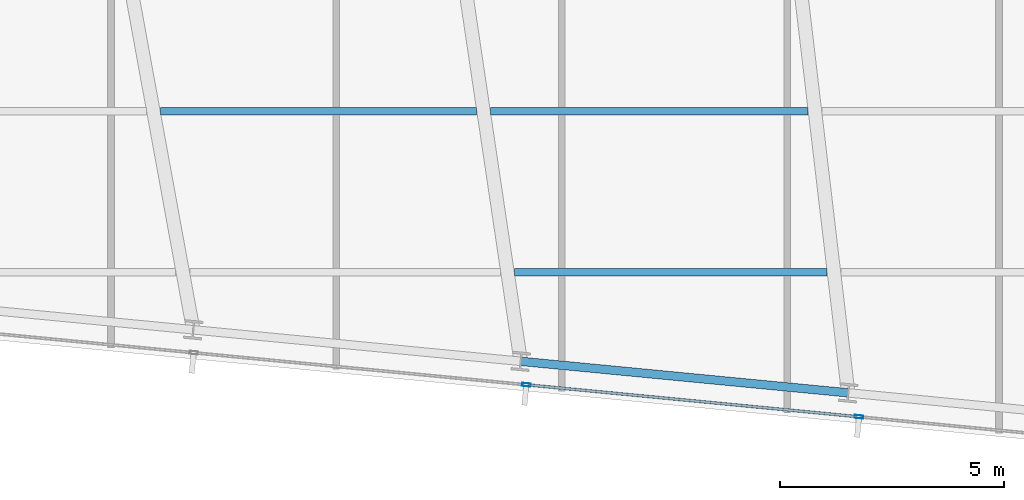
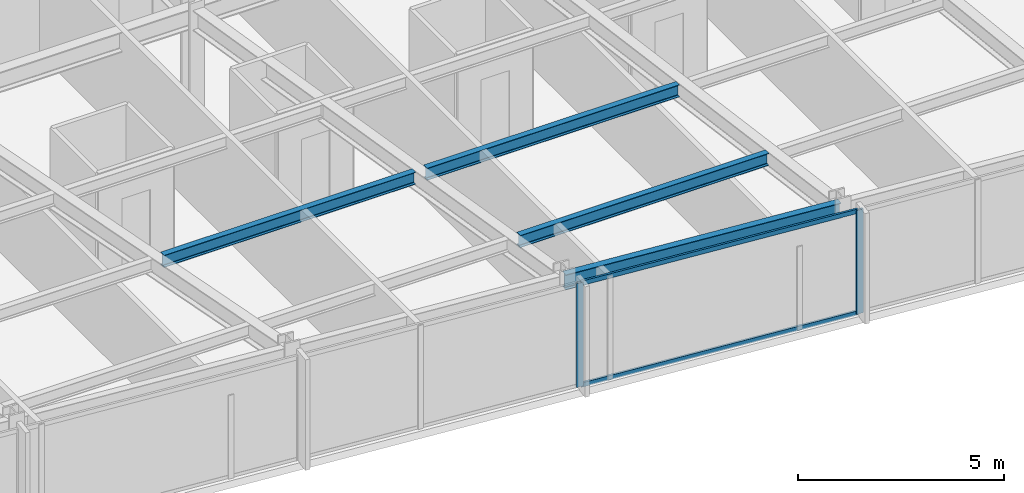
# One storey, part 12 of 37: 4 beams, 4 members, 1 element without a shape of its own.
"""IFC4 building model written with IfcOpenShell, lengths in metres."""

from ifc_helpers import new_model, si_unit, direction, frame, origin, origin_2d, place, context, subcontext, project, spatial, hollow_rectangle, i_section, extrude, material, material_profile, profile_set, type_object, element, aggregate, save


model = new_model("IFC4")

# Units and contexts
model_context = context("Model", 3, precision=1e-05, world=origin(), true_north=direction((0.0, 1.0)))
body_context = subcontext(model_context, "Body", "Model", "MODEL_VIEW")
ifc_project = project(units=[si_unit("LENGTHUNIT", "METRE"), si_unit("AREAUNIT", "SQUARE_METRE"), si_unit("VOLUMEUNIT", "CUBIC_METRE"), si_unit("PLANEANGLEUNIT", "RADIAN"), si_unit("MASSUNIT", "GRAM", prefix="KILO")], contexts=[model_context])

# Site, building, storey
site_placement = place(None, origin())
site = spatial("IfcSite", under=ifc_project, at=site_placement, CompositionType="ELEMENT")
building_placement = place(site_placement, origin())
building = spatial("IfcBuilding", under=site, at=building_placement, Name="Yelkora Congress Tower", CompositionType="ELEMENT")
storey_placement = place(building_placement, frame((0.0, 0.0, 182.0)))
storey = spatial("IfcBuildingStorey", under=building, at=storey_placement, Name="L50", CompositionType="ELEMENT", Elevation=182.0)

# Beams
ifc_material_1 = material(Name="Steel S355J2", Category="steel")
ifc_material_profile_1 = material_profile(ifc_material_1, i_section(OverallWidth=0.169921875, OverallDepth=0.360107421875, WebThickness=0.008056640625, FlangeThickness=0.0126953125, FilletRadius=0.01806640625, at=origin_2d()), Name="IPE 360")
ifc_profile_set_1 = profile_set([ifc_material_profile_1], Name="Steel S355J2")
beam_type_1 = type_object("IfcBeamType", Name="BM-JOIST-IPE360", PredefinedType="JOIST", material=ifc_profile_set_1)
beam_1_placement = place(storey_placement, frame((40.39990234375, 12.8212890625, 2.89990234375), z_axis=(1.0, 0.0, 0.0), x_axis=(0.0, 1.0, 0.0)))
element("IfcBeam", 1, at=beam_1_placement, inside=storey, type_object=beam_type_1, Name="L50 Composite Floor Joist 3", PredefinedType="JOIST", context=body_context, shape_type="SweptSolid", body=[
    extrude(i_section(OverallWidth=0.169921875, OverallDepth=0.360107421875, WebThickness=0.008056640625, FlangeThickness=0.0126953125, FilletRadius=0.01806640625, at=origin_2d()), origin(), (0.0, 0.0, 1.0), 6.98095703125),
])
beam_2_placement = place(storey_placement, frame((32.481201171875, 16.421142578125, 2.89990234375), z_axis=(1.0, 0.0, 0.0), x_axis=(0.0, 1.0, 0.0)))
element("IfcBeam", 2, at=beam_2_placement, inside=storey, type_object=beam_type_1, Name="L50 Composite Floor Joist 9", PredefinedType="JOIST", context=body_context, shape_type="SweptSolid", body=[
    extrude(i_section(OverallWidth=0.169921875, OverallDepth=0.360107421875, WebThickness=0.008056640625, FlangeThickness=0.0126953125, FilletRadius=0.01806640625, at=origin_2d()), origin(), (0.0, 0.0, 1.0), 7.063720703125),
])
beam_3_placement = place(storey_placement, frame((39.86474609375, 16.421142578125, 2.89990234375), z_axis=(1.0, 0.0, 0.0), x_axis=(0.0, 1.0, 0.0)))
element("IfcBeam", 3, at=beam_3_placement, inside=storey, type_object=beam_type_1, Name="L50 Composite Floor Joist 10", PredefinedType="JOIST", context=body_context, shape_type="SweptSolid", body=[
    extrude(i_section(OverallWidth=0.169921875, OverallDepth=0.360107421875, WebThickness=0.008056640625, FlangeThickness=0.0126953125, FilletRadius=0.01806640625, at=origin_2d()), origin(), (0.0, 0.0, 1.0), 7.09130859375),
])
ifc_material_profile_2 = material_profile(ifc_material_1, i_section(OverallWidth=0.18994140625, OverallDepth=0.449951171875, WebThickness=0.009521484375, FlangeThickness=0.0146484375, FilletRadius=0.02099609375, at=origin_2d()), Name="IPE 450")
ifc_profile_set_2 = profile_set([ifc_material_profile_2], Name="Steel S355J2")
beam_type_2 = type_object("IfcBeamType", Name="BM-SPAN-IPE450", PredefinedType="SPANDREL", material=ifc_profile_set_2)
beam_4_placement = place(storey_placement, frame((40.53564453125, 10.83154296875, 2.85498046875), z_axis=(0.995397104697, -0.095836339457, 0.0), x_axis=(0.095836339457, 0.995397104697, 0.0)))
element("IfcBeam", 4, at=beam_4_placement, inside=storey, type_object=beam_type_2, Name="L50 Perimeter Beam 7", PredefinedType="SPANDREL", context=body_context, shape_type="SweptSolid", body=[
    extrude(i_section(OverallWidth=0.18994140625, OverallDepth=0.449951171875, WebThickness=0.009521484375, FlangeThickness=0.0146484375, FilletRadius=0.02099609375, at=origin_2d()), origin(), (0.0, 0.0, 1.0), 7.357177734375),
])

# Curtain wall, members
ifc_material_2 = material(Name="Anodised aluminium and insulated glass", Category="aluminium")
curtain_wall_type = type_object("IfcCurtainWallType", Name="CW-SYS-B3", PredefinedType="NOTDEFINED", material=ifc_material_2)
curtain_wall_placement = place(storey_placement, origin())
curtain_wall = element("IfcCurtainWall", 5, at=curtain_wall_placement, inside=storey, type_object=curtain_wall_type, Name="L50 Unitised Curtain Wall 20", PredefinedType="NOTDEFINED")
ifc_material_3 = material(Name="Anodised aluminium 6063-T6", Category="aluminium")
ifc_material_profile_3 = material_profile(ifc_material_3, hollow_rectangle(XDim=0.070068359375, YDim=0.18994140625, WallThickness=0.00390625, at=origin_2d()), Name="ALU 70x190x4")
ifc_profile_set_3 = profile_set([ifc_material_profile_3], Name="Anodised aluminium 6063-T6")
member_type_1 = type_object("IfcMemberType", Name="MEM-ML-B3", PredefinedType="MULLION", material=ifc_profile_set_3)
member_1_placement = place(storey_placement, frame((48.1015625, 9.590576171875, 0.0), z_axis=(0.0, 0.0, 1.0), x_axis=(-0.095844680679, -0.995396301573, 0.0)))
member_1 = element("IfcMember", 6, at=member_1_placement, type_object=member_type_1, Name="CW-B3 mullion 2", PredefinedType="MULLION", context=body_context, shape_type="SweptSolid", body=[
    extrude(hollow_rectangle(XDim=0.070068359375, YDim=0.18994140625, WallThickness=0.00390625, at=origin_2d()), origin(), (0.0, 0.0, 1.0), 3.080078125),
])
member_2_placement = place(storey_placement, frame((40.66162109375, 10.30712890625, 0.0), z_axis=(0.0, 0.0, 1.0), x_axis=(-0.095844680679, -0.995396301573, 0.0)))
member_2 = element("IfcMember", 7, at=member_2_placement, type_object=member_type_1, Name="CW-B3 mullion 3", PredefinedType="MULLION", context=body_context, shape_type="SweptSolid", body=[
    extrude(hollow_rectangle(XDim=0.070068359375, YDim=0.18994140625, WallThickness=0.00390625, at=origin_2d()), origin(), (0.0, 0.0, 1.0), 3.080078125),
])
ifc_material_profile_4 = material_profile(ifc_material_3, hollow_rectangle(XDim=0.06005859375, YDim=0.1298828125, WallThickness=0.00390625, at=origin_2d()), Name="ALU 60x130x4")
ifc_profile_set_4 = profile_set([ifc_material_profile_4], Name="Anodised aluminium 6063-T6")
member_type_2 = type_object("IfcMemberType", Name="MEM-TR-B3", PredefinedType="USERDEFINED", material=ifc_profile_set_4)
member_3_placement = place(storey_placement, frame((48.066650390625, 9.593994140625, 0.030029296875), z_axis=(-0.99539548672, 0.095853142967, 0.0), x_axis=(-0.095853142967, -0.99539548672, 0.0)))
member_3 = element("IfcMember", 8, at=member_3_placement, type_object=member_type_2, Name="CW-B3 transom 2.1", ObjectType="TRANSOM", PredefinedType="USERDEFINED", context=body_context, shape_type="SweptSolid", body=[
    extrude(hollow_rectangle(XDim=0.06005859375, YDim=0.1298828125, WallThickness=0.00390625, at=origin_2d()), origin(), (0.0, 0.0, 1.0), 7.404296875),
])
member_4_placement = place(storey_placement, frame((48.066650390625, 9.593994140625, 3.050048828125), z_axis=(-0.99539548672, 0.095853142967, 0.0), x_axis=(-0.095853142967, -0.99539548672, 0.0)))
member_4 = element("IfcMember", 9, at=member_4_placement, type_object=member_type_2, Name="CW-B3 transom 2.2", ObjectType="TRANSOM", PredefinedType="USERDEFINED", context=body_context, shape_type="SweptSolid", body=[
    extrude(hollow_rectangle(XDim=0.06005859375, YDim=0.1298828125, WallThickness=0.00390625, at=origin_2d()), origin(), (0.0, 0.0, 1.0), 7.404296875),
])
aggregate(curtain_wall, [member_1, member_2, member_3, member_4])

save(model, "model.ifc")
